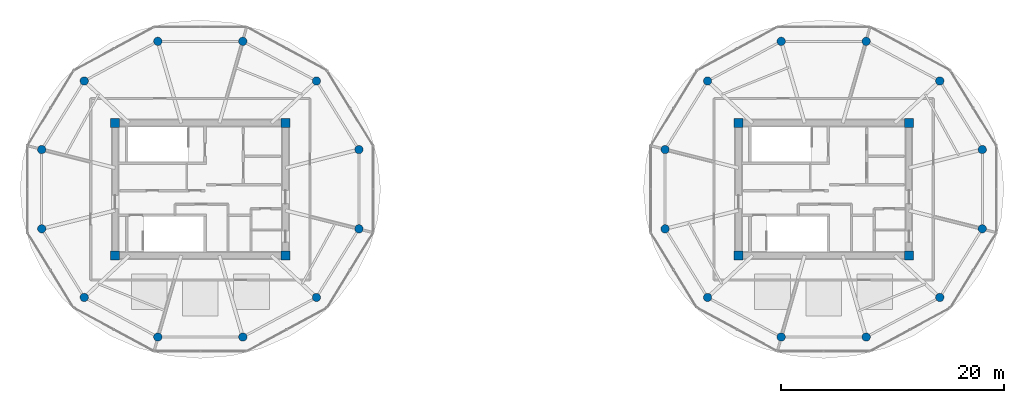
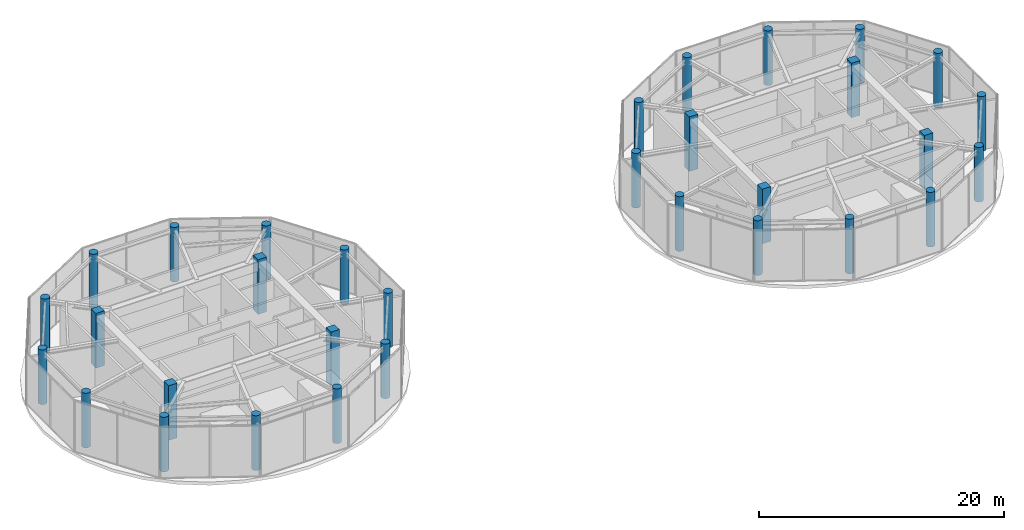
# One storey, part 1 of 15: 32 columns.
"""IFC4 building model written with IfcOpenShell, lengths in metres."""

from ifc_helpers import new_model, si_unit, direction, frame, origin, origin_2d, place, context, subcontext, project, spatial, rectangle, circle, extrude, source, transform, mapped, material, material_profile, profile_set, type_object, type_shapes, element, save


model = new_model("IFC4")

# Units and contexts
model_context = context("Model", 3, precision=1e-05, world=origin(), true_north=direction((0.0, 1.0)))
body_context = subcontext(model_context, "Body", "Model", "MODEL_VIEW")
ifc_project = project(units=[si_unit("LENGTHUNIT", "METRE"), si_unit("AREAUNIT", "SQUARE_METRE"), si_unit("VOLUMEUNIT", "CUBIC_METRE"), si_unit("PLANEANGLEUNIT", "RADIAN"), si_unit("MASSUNIT", "GRAM", prefix="KILO")], contexts=[model_context])

# Site, building, storey
site_placement = place(None, origin())
site = spatial("IfcSite", under=ifc_project, at=site_placement, CompositionType="ELEMENT")
building_placement = place(site_placement, origin())
building = spatial("IfcBuilding", under=site, at=building_placement, Name="Norrkilde Senior Care Towers", CompositionType="ELEMENT")
storey_placement = place(building_placement, frame((0.0, 0.0, 244.39990234375)))
storey = spatial("IfcBuildingStorey", under=building, at=storey_placement, Name="L76", CompositionType="ELEMENT", Elevation=244.39990234375)

# Columns
ifc_material_1 = material(Name="Concrete C60/75", Category="concrete")
ifc_material_profile_1 = material_profile(ifc_material_1, rectangle(XDim=0.800048828125, YDim=0.800048828125, at=origin_2d()), Name="RC COL 800x800")
ifc_profile_set_1 = profile_set([ifc_material_profile_1], Name="Concrete C60/75")
column_type_1 = type_object("IfcColumnType", Name="Column Core Corner Z3-Z4 800", PredefinedType="COLUMN", material=ifc_profile_set_1)
shared_shape_1 = source(origin(), body_context, "Body", "SweptSolid", [
    extrude(rectangle(XDim=0.800048828125, YDim=0.800048828125, at=origin_2d()), origin(), (0.0, 0.0, 1.0), 5.4501953125),
])
type_shapes(column_type_1, [shared_shape_1])
for number, where, z_axis, x_axis, name in (
    (1, (-35.64990234375, -5.949951171875, 0.0), (0.0, 0.0, 1.0), (1.0, 0.0, 0.0), "L76 Core W Corner Column 1"),
    (2, (-20.35009765625, -5.949951171875, 0.0), (0.0, 0.0, 1.0), (1.0, 0.0, 0.0), "L76 Core W Corner Column 2"),
    (3, (-20.35009765625, 5.949951171875, 0.0), (0.0, 0.0, 1.0), (1.0, 0.0, 0.0), "L76 Core W Corner Column 3"),
    (4, (-35.64990234375, 5.949951171875, 0.0), (0.0, 0.0, 1.0), (1.0, 0.0, 0.0), "L76 Core W Corner Column 4"),
    (5, (20.35009765625, -5.949951171875, 0.0), (0.0, 0.0, 1.0), (1.0, 0.0, 0.0), "L76 Core E Corner Column 1"),
    (6, (35.64990234375, -5.949951171875, 0.0), (0.0, 0.0, 1.0), (1.0, 0.0, 0.0), "L76 Core E Corner Column 2"),
    (7, (35.64990234375, 5.949951171875, 0.0), (0.0, 0.0, 1.0), (1.0, 0.0, 0.0), "L76 Core E Corner Column 3"),
    (8, (20.35009765625, 5.949951171875, 0.0), (0.0, 0.0, 1.0), (1.0, 0.0, 0.0), "L76 Core E Corner Column 4"),
):
    element("IfcColumn", number, at=place(storey_placement, frame(where, z_axis=z_axis, x_axis=x_axis)), inside=storey, type_object=column_type_1, Name=name, PredefinedType="COLUMN", context=body_context, shape_type="MappedRepresentation", body=[
        mapped(shared_shape_1, transform((0.0, 0.0, 0.0), x_axis=(1.0, 0.0, 0.0), y_axis=(0.0, 1.0, 0.0), z_axis=(0.0, 0.0, 1.0), scale=1.0)),
    ])
ifc_material_2 = material(Name="Concrete C50/60", Category="concrete")
ifc_material_profile_2 = material_profile(ifc_material_2, circle(Radius=0.375, at=origin_2d()), Name="RC CIR 750")
ifc_profile_set_2 = profile_set([ifc_material_profile_2], Name="Concrete C50/60")
column_type_2 = type_object("IfcColumnType", Name="Column Perimeter Z4 750", PredefinedType="COLUMN", material=ifc_profile_set_2)
shared_shape_2 = source(origin(), body_context, "Body", "SweptSolid", [
    extrude(circle(Radius=0.375, at=origin_2d()), origin(), (0.0, 0.0, 1.0), 5.4501953125),
])
type_shapes(column_type_2, [shared_shape_2])
for number, where, z_axis, x_axis, name in (
    (9, (-13.752685546875, 3.558837890625, 0.0), (0.0, 0.0, 1.0), (1.0, 0.0, 0.0), "L76 Drum W Perimeter Column 01"),
    (10, (-17.570068359375, 9.72265625, 0.0), (0.0, 0.0, 1.0), (1.0, 0.0, 0.0), "L76 Drum W Perimeter Column 02"),
    (11, (-24.182373046875, 13.281494140625, 0.0), (0.0, 0.0, 1.0), (1.0, 0.0, 0.0), "L76 Drum W Perimeter Column 03"),
    (12, (-31.817626953125, 13.281494140625, 0.0), (0.0, 0.0, 1.0), (1.0, 0.0, 0.0), "L76 Drum W Perimeter Column 04"),
    (13, (-38.429931640625, 9.72265625, 0.0), (0.0, 0.0, 1.0), (1.0, 0.0, 0.0), "L76 Drum W Perimeter Column 05"),
    (14, (-42.247314453125, 3.558837890625, 0.0), (0.0, 0.0, 1.0), (1.0, 0.0, 0.0), "L76 Drum W Perimeter Column 06"),
    (15, (-42.247314453125, -3.558837890625, 0.0), (0.0, 0.0, 1.0), (1.0, 0.0, 0.0), "L76 Drum W Perimeter Column 07"),
    (16, (-38.429931640625, -9.72265625, 0.0), (0.0, 0.0, 1.0), (1.0, 0.0, 0.0), "L76 Drum W Perimeter Column 08"),
    (17, (-31.817626953125, -13.281494140625, 0.0), (0.0, 0.0, 1.0), (1.0, 0.0, 0.0), "L76 Drum W Perimeter Column 09"),
    (18, (-24.182373046875, -13.281494140625, 0.0), (0.0, 0.0, 1.0), (1.0, 0.0, 0.0), "L76 Drum W Perimeter Column 10"),
    (19, (-17.570068359375, -9.72265625, 0.0), (0.0, 0.0, 1.0), (1.0, 0.0, 0.0), "L76 Drum W Perimeter Column 11"),
    (20, (-13.752685546875, -3.558837890625, 0.0), (0.0, 0.0, 1.0), (1.0, 0.0, 0.0), "L76 Drum W Perimeter Column 12"),
    (21, (42.247314453125, 3.558837890625, 0.0), (0.0, 0.0, 1.0), (1.0, 0.0, 0.0), "L76 Drum E Perimeter Column 01"),
    (22, (38.429931640625, 9.72265625, 0.0), (0.0, 0.0, 1.0), (1.0, 0.0, 0.0), "L76 Drum E Perimeter Column 02"),
    (23, (31.817626953125, 13.281494140625, 0.0), (0.0, 0.0, 1.0), (1.0, 0.0, 0.0), "L76 Drum E Perimeter Column 03"),
    (24, (24.182373046875, 13.281494140625, 0.0), (0.0, 0.0, 1.0), (1.0, 0.0, 0.0), "L76 Drum E Perimeter Column 04"),
    (25, (17.570068359375, 9.72265625, 0.0), (0.0, 0.0, 1.0), (1.0, 0.0, 0.0), "L76 Drum E Perimeter Column 05"),
    (26, (13.752685546875, 3.558837890625, 0.0), (0.0, 0.0, 1.0), (1.0, 0.0, 0.0), "L76 Drum E Perimeter Column 06"),
    (27, (13.752685546875, -3.558837890625, 0.0), (0.0, 0.0, 1.0), (1.0, 0.0, 0.0), "L76 Drum E Perimeter Column 07"),
    (28, (17.570068359375, -9.72265625, 0.0), (0.0, 0.0, 1.0), (1.0, 0.0, 0.0), "L76 Drum E Perimeter Column 08"),
    (29, (24.182373046875, -13.281494140625, 0.0), (0.0, 0.0, 1.0), (1.0, 0.0, 0.0), "L76 Drum E Perimeter Column 09"),
    (30, (31.817626953125, -13.281494140625, 0.0), (0.0, 0.0, 1.0), (1.0, 0.0, 0.0), "L76 Drum E Perimeter Column 10"),
    (31, (38.429931640625, -9.72265625, 0.0), (0.0, 0.0, 1.0), (1.0, 0.0, 0.0), "L76 Drum E Perimeter Column 11"),
    (32, (42.247314453125, -3.558837890625, 0.0), (0.0, 0.0, 1.0), (1.0, 0.0, 0.0), "L76 Drum E Perimeter Column 12"),
):
    element("IfcColumn", number, at=place(storey_placement, frame(where, z_axis=z_axis, x_axis=x_axis)), inside=storey, type_object=column_type_2, Name=name, PredefinedType="COLUMN", context=body_context, shape_type="MappedRepresentation", body=[
        mapped(shared_shape_2, transform((0.0, 0.0, 0.0), x_axis=(1.0, 0.0, 0.0), y_axis=(0.0, 1.0, 0.0), z_axis=(0.0, 0.0, 1.0), scale=1.0)),
    ])

save(model, "model.ifc")
